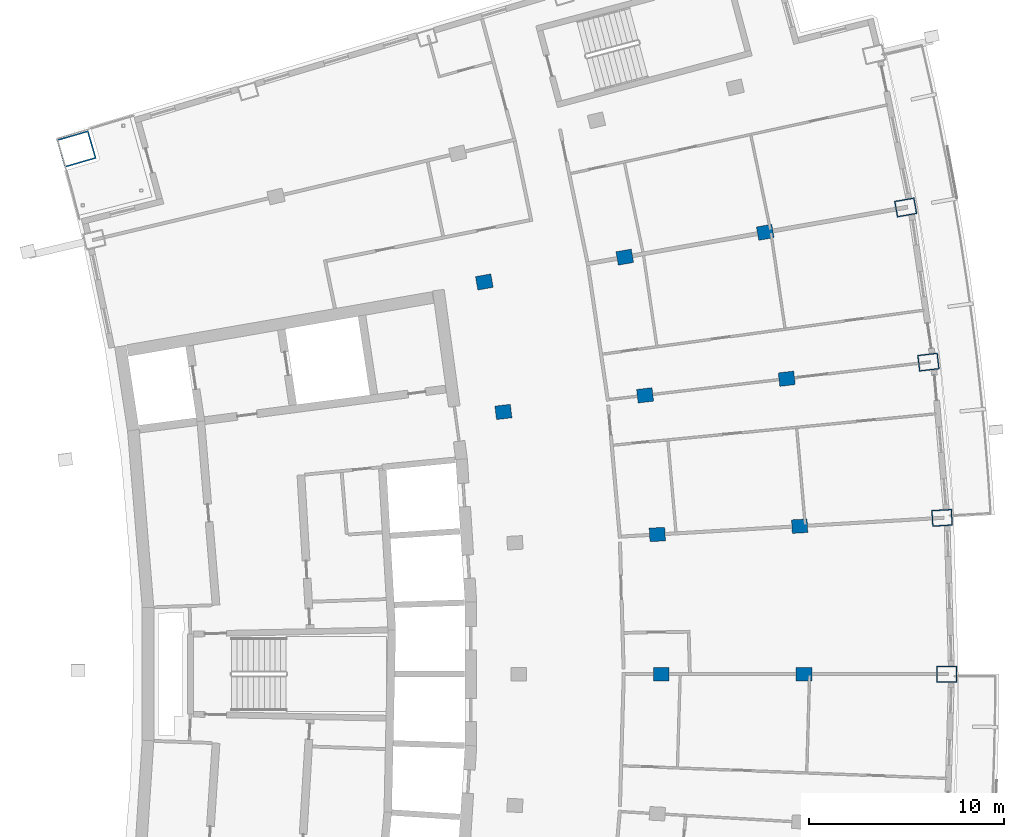
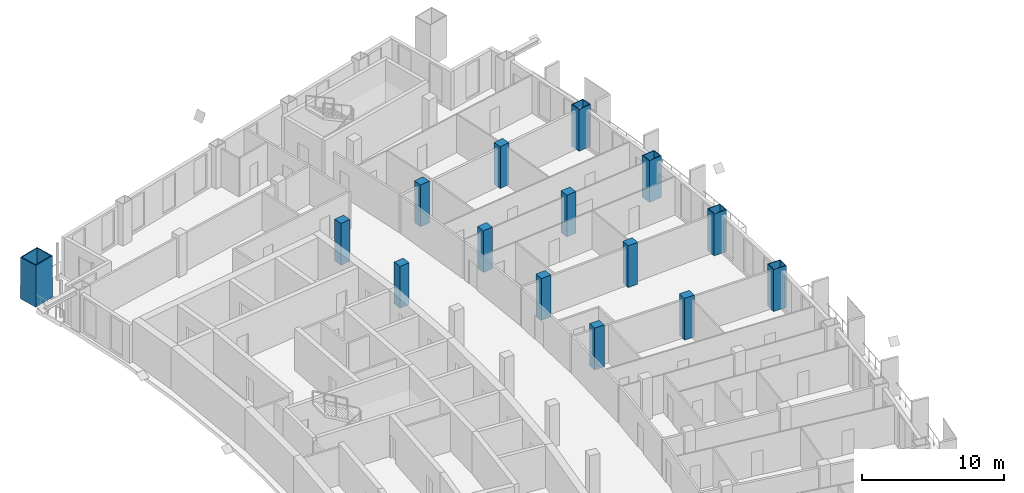
# One storey, part 6 of 17: 15 columns.
"""IFC4 building model written with IfcOpenShell, lengths in metres."""

from ifc_helpers import new_model, si_unit, direction, frame, origin, origin_2d, place, context, subcontext, project, spatial, rectangle, hollow_rectangle, extrude, material, material_profile, profile_set, type_object, element, save


model = new_model("IFC4")

# Units and contexts
model_context = context("Model", 3, precision=1e-05, world=origin(), true_north=direction((0.0, 1.0)))
body_context = subcontext(model_context, "Body", "Model", "MODEL_VIEW")
ifc_project = project(units=[si_unit("LENGTHUNIT", "METRE"), si_unit("AREAUNIT", "SQUARE_METRE"), si_unit("VOLUMEUNIT", "CUBIC_METRE"), si_unit("PLANEANGLEUNIT", "RADIAN"), si_unit("MASSUNIT", "GRAM", prefix="KILO")], contexts=[model_context])

# Site, building, storey
site_placement = place(None, origin())
site = spatial("IfcSite", under=ifc_project, at=site_placement, CompositionType="ELEMENT")
building_placement = place(site_placement, origin())
building = spatial("IfcBuilding", under=site, at=building_placement, Name="Alderwake Tower", CompositionType="ELEMENT")
storey_placement = place(building_placement, frame((0.0, 0.0, 218.0)))
storey = spatial("IfcBuildingStorey", under=building, at=storey_placement, Name="L54", CompositionType="ELEMENT", Elevation=218.0)

# Columns
ifc_material_1 = material(Name="Concrete C70/85", Category="concrete")
ifc_material_profile_1 = material_profile(ifc_material_1, rectangle(XDim=0.699951171875, YDim=0.800048828125, at=origin_2d()), Name="RC 800X700")
ifc_profile_set_1 = profile_set([ifc_material_profile_1], Name="Concrete C70/85")
column_type_1 = type_object("IfcColumnType", Name="Interior column Z4", PredefinedType="COLUMN", material=ifc_profile_set_1)
for number, where, z_axis, x_axis, name in (
    (1, (43.13330078125, 61.0, 0.0), (0.0, 0.0, 1.0), (0.0, 1.0, 0.0), "Column R07-C3"),
    (2, (50.466796875, 61.0, 0.0), (0.0, 0.0, 1.0), (0.0, 1.0, 0.0), "Column R07-C4"),
    (3, (42.923828125, 68.1787109375, 0.0), (0.0, 0.0, 1.0), (-0.058301061284, 0.998299046505, 0.0), "Column R08-C3"),
    (4, (50.244873046875, 68.606201171875, 0.0), (0.0, 0.0, 1.0), (-0.058299318924, 0.998299148258, 0.0), "Column R08-C4"),
    (5, (35.0126953125, 74.4794921875, 0.0), (0.0, 0.0, 1.0), (-0.116402054316, 0.993202175668, 0.0), "Column R09-C2"),
    (6, (42.29638671875, 75.3330078125, 0.0), (0.0, 0.0, 1.0), (-0.116402054316, 0.993202175668, 0.0), "Column R09-C3"),
    (7, (49.579833984375, 76.1865234375, 0.0), (0.0, 0.0, 1.0), (-0.116402054316, 0.993202175668, 0.0), "Column R09-C4"),
    (8, (34.03125, 81.16162109375, 0.0), (0.0, 0.0, 1.0), (-0.174108800747, 0.984726421654, 0.0), "Column R10-C2"),
    (9, (41.252685546875, 82.4384765625, 0.0), (0.0, 0.0, 1.0), (-0.174108800747, 0.984726421654, 0.0), "Column R10-C3"),
    (10, (48.47412109375, 83.71533203125, 0.0), (0.0, 0.0, 1.0), (-0.174108800747, 0.984726421654, 0.0), "Column R10-C4"),
):
    element("IfcColumn", number, at=place(storey_placement, frame(where, z_axis=z_axis, x_axis=x_axis)), inside=storey, type_object=column_type_1, Name=name, PredefinedType="COLUMN", context=body_context, shape_type="SweptSolid", body=[
        extrude(rectangle(XDim=0.699951171875, YDim=0.800048828125, at=origin_2d()), origin(), (0.0, 0.0, 1.0), 3.60009765625),
    ])
ifc_material_2 = material(Name="Steel ASTM A572 Grade 50 concrete filled C70/85", Category="concrete")
ifc_material_profile_2 = material_profile(ifc_material_2, hollow_rectangle(XDim=1.5, YDim=1.699951171875, WallThickness=0.074951171875, at=origin_2d()), Name="BOX 1700X1500X75")
ifc_profile_set_2 = profile_set([ifc_material_profile_2], Name="Steel ASTM A572 Grade 50 concrete filled C70/85")
column_type_2 = type_object("IfcColumnType", Name="Mega column Z4", PredefinedType="COLUMN", material=ifc_profile_set_2)
column_placement = place(storey_placement, frame((13.06298828125, 87.99755859375, 0.0), z_axis=(0.0, 0.0, 1.0), x_axis=(-0.278612301868, 0.960403657452, 0.0)))
element("IfcColumn", 11, at=column_placement, inside=storey, type_object=column_type_2, Name="Column R12-C0", PredefinedType="COLUMN", context=body_context, shape_type="SweptSolid", body=[
    extrude(hollow_rectangle(XDim=1.5, YDim=1.699951171875, WallThickness=0.074951171875, at=origin_2d()), origin(), (0.0, 0.0, 1.0), 3.60009765625),
])
ifc_material_3 = material(Name="Steel ASTM A572 Grade 50 concrete filled C70/85", Category="concrete")
ifc_material_profile_3 = material_profile(ifc_material_3, hollow_rectangle(XDim=0.85009765625, YDim=1.050048828125, WallThickness=0.054931640625, at=origin_2d()), Name="BOX 1050X850X55")
ifc_profile_set_3 = profile_set([ifc_material_profile_3], Name="Steel ASTM A572 Grade 50 concrete filled C70/85")
column_type_3 = type_object("IfcColumnType", Name="Perimeter column Z4", PredefinedType="COLUMN", material=ifc_profile_set_3)
for number, where, z_axis, x_axis, name in (
    (12, (57.800048828125, 61.0, 0.0), (0.0, 0.0, 1.0), (0.0, 1.0, 0.0), "Column R07-C5"),
    (13, (57.565673828125, 69.03369140625, 0.0), (0.0, 0.0, 1.0), (-0.058301061284, 0.998299046505, 0.0), "Column R08-C5"),
    (14, (56.86328125, 77.040283203125, 0.0), (0.0, 0.0, 1.0), (-0.116402054316, 0.993202175668, 0.0), "Column R09-C5"),
    (15, (55.6953125, 84.9921875, 0.0), (0.0, 0.0, 1.0), (-0.174108800747, 0.984726421654, 0.0), "Column R10-C5"),
):
    element("IfcColumn", number, at=place(storey_placement, frame(where, z_axis=z_axis, x_axis=x_axis)), inside=storey, type_object=column_type_3, Name=name, PredefinedType="COLUMN", context=body_context, shape_type="SweptSolid", body=[
        extrude(hollow_rectangle(XDim=0.85009765625, YDim=1.050048828125, WallThickness=0.054931640625, at=origin_2d()), origin(), (0.0, 0.0, 1.0), 3.60009765625),
    ])

save(model, "model.ifc")
